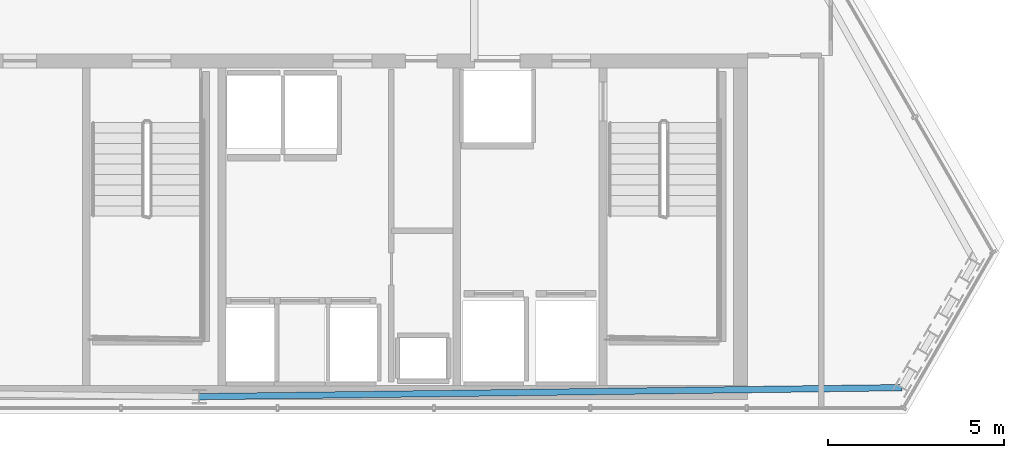
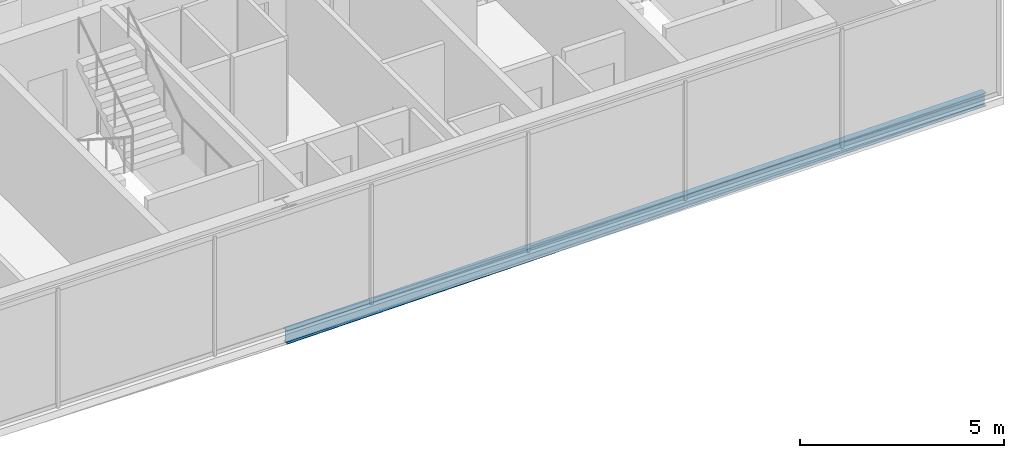
# One storey, part 22 of 35: 1 beam.
"""IFC4 building model written with IfcOpenShell, lengths in metres."""

from ifc_helpers import new_model, si_unit, direction, frame, origin, origin_2d, place, context, subcontext, project, spatial, i_section, extrude, material, material_profile, profile_set, type_object, element, save


model = new_model("IFC4")

# Units and contexts
model_context = context("Model", 3, precision=1e-05, world=origin(), true_north=direction((0.0, 1.0)))
body_context = subcontext(model_context, "Body", "Model", "MODEL_VIEW")
ifc_project = project(units=[si_unit("LENGTHUNIT", "METRE"), si_unit("AREAUNIT", "SQUARE_METRE"), si_unit("VOLUMEUNIT", "CUBIC_METRE"), si_unit("PLANEANGLEUNIT", "RADIAN"), si_unit("MASSUNIT", "GRAM", prefix="KILO")], contexts=[model_context])

# Site, building, storey
site_placement = place(None, origin())
site = spatial("IfcSite", under=ifc_project, at=site_placement, CompositionType="ELEMENT")
building_placement = place(site_placement, origin())
building = spatial("IfcBuilding", under=site, at=building_placement, Name="Ndaravel Arena Tower", CompositionType="ELEMENT")
storey_placement = place(building_placement, frame((0.0, 0.0, 271.199951171875)))
storey = spatial("IfcBuildingStorey", under=building, at=storey_placement, Name="L66", CompositionType="ELEMENT", Elevation=271.199951171875)

# Beam
ifc_material = material(Name="Steel S355", Category="steel")
ifc_material_profile = material_profile(ifc_material, i_section(OverallWidth=0.179931640625, OverallDepth=0.39990234375, WebThickness=0.008544921875, FlangeThickness=0.013427734375, FilletRadius=0.02099609375, at=origin_2d()), Name="IPE 400")
ifc_profile_set = profile_set([ifc_material_profile], Name="Steel S355")
beam_type = type_object("IfcBeamType", Name="BM-SPAN-IPE400", PredefinedType="SPANDREL", material=ifc_profile_set)
beam_placement = place(storey_placement, frame((42.0, 5.47998046875, -0.419921875), z_axis=(0.999917694391, 0.012829826299, 0.0), x_axis=(-0.012829826299, 0.999917694391, 0.0)))
element("IfcBeam", 1, at=beam_placement, inside=storey, type_object=beam_type, Name="L66 Perimeter Spandrel Beam SP-01", PredefinedType="SPANDREL", context=body_context, shape_type="SweptSolid", body=[
    extrude(i_section(OverallWidth=0.179931640625, OverallDepth=0.39990234375, WebThickness=0.008544921875, FlangeThickness=0.013427734375, FilletRadius=0.02099609375, at=origin_2d()), origin(), (0.0, 0.0, 1.0), 19.923583984375),
])

save(model, "model.ifc")
